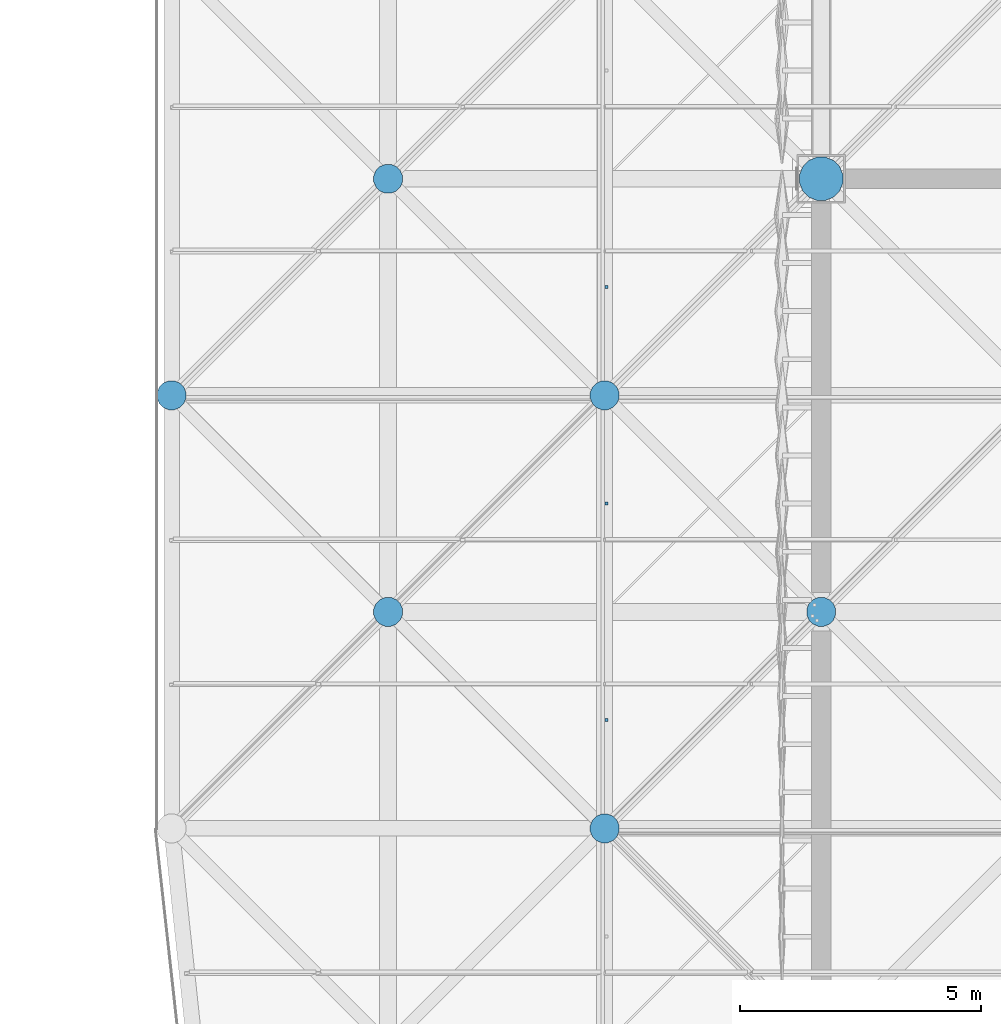
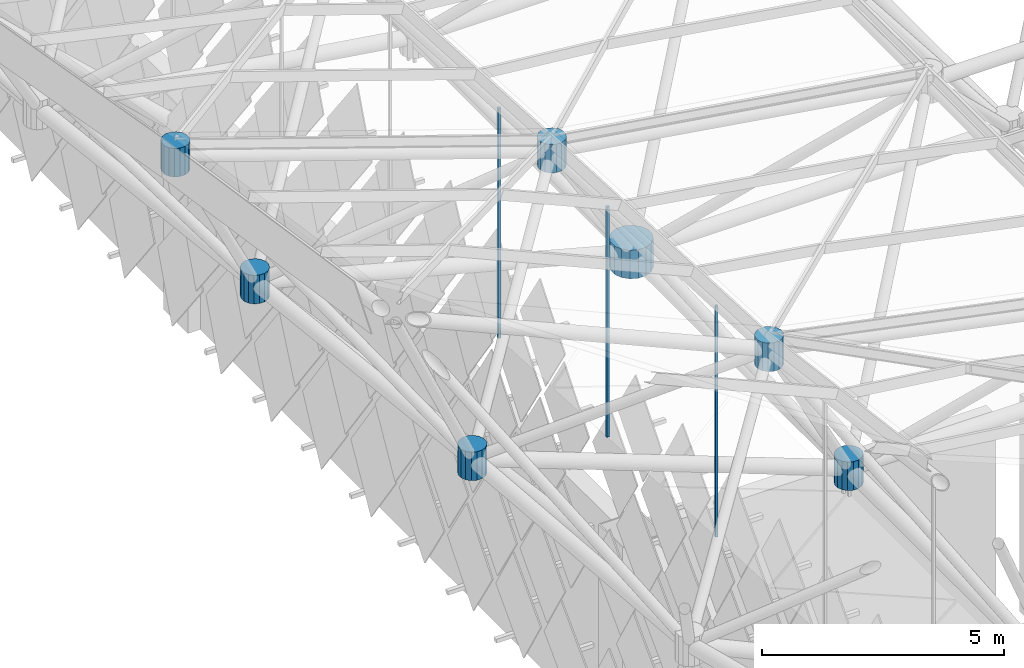
# One storey, part 287 of 437: 10 discrete accessories.
"""IFC4 building model written with IfcOpenShell, lengths in metres."""

from ifc_helpers import new_model, si_unit, direction, frame, origin, place, context, subcontext, project, spatial, polyline, outline, extrude, material, type_object, element, save


model = new_model("IFC4")

# Units and contexts
model_context = context("Model", 3, precision=1e-05, world=origin(), true_north=direction((0.0, 1.0)))
body_context = subcontext(model_context, "Body", "Model", "MODEL_VIEW")
ifc_project = project(units=[si_unit("LENGTHUNIT", "METRE"), si_unit("AREAUNIT", "SQUARE_METRE"), si_unit("VOLUMEUNIT", "CUBIC_METRE"), si_unit("PLANEANGLEUNIT", "RADIAN"), si_unit("MASSUNIT", "GRAM", prefix="KILO")], contexts=[model_context])

# Site, building, storey
site_placement = place(None, origin())
site = spatial("IfcSite", under=ifc_project, at=site_placement, CompositionType="ELEMENT")
building_placement = place(site_placement, origin())
building = spatial("IfcBuilding", under=site, at=building_placement, Name="Opaline Strait Convention Centre", CompositionType="ELEMENT")
storey_placement = place(building_placement, frame((0.0, 0.0, 11.5)))
storey = spatial("IfcBuildingStorey", under=building, at=storey_placement, Name="L02", CompositionType="ELEMENT", Elevation=11.5)

# Discrete accessories
ifc_material_1 = material(Name="Steel Q355B", Category="steel")
discrete_accessory_type_1 = type_object("IfcDiscreteAccessoryType", Name="Soffit hanger 60x60 steel", PredefinedType="BRACKET", material=ifc_material_1)
discrete_accessory_1_placement = place(storey_placement, frame((0.0, 0.0, 13.696533203125)))
element("IfcDiscreteAccessory", 1, at=discrete_accessory_1_placement, inside=storey, type_object=discrete_accessory_type_1, Name="Soffit hanger", PredefinedType="BRACKET", context=body_context, shape_type="SweptSolid", body=[
    extrude(outline(polyline([(94.5048828125, 60.719970703125), (94.56494140625, 60.719970703125), (94.56494140625, 60.780029296875), (94.5048828125, 60.780029296875), (94.5048828125, 60.719970703125)])), origin(), (0.0, 0.0, 1.0), 5.84130859375),
])
discrete_accessory_2_placement = place(storey_placement, frame((0.0, 0.0, 13.495361328125)))
element("IfcDiscreteAccessory", 2, at=discrete_accessory_2_placement, inside=storey, type_object=discrete_accessory_type_1, Name="Soffit hanger", PredefinedType="BRACKET", context=body_context, shape_type="SweptSolid", body=[
    extrude(outline(polyline([(94.5048828125, 65.219970703125), (94.56494140625, 65.219970703125), (94.56494140625, 65.280029296875), (94.5048828125, 65.280029296875), (94.5048828125, 65.219970703125)])), origin(), (0.0, 0.0, 1.0), 5.82421875),
])
discrete_accessory_3_placement = place(storey_placement, frame((0.0, 0.0, 13.264892578125)))
element("IfcDiscreteAccessory", 3, at=discrete_accessory_3_placement, inside=storey, type_object=discrete_accessory_type_1, Name="Soffit hanger", PredefinedType="BRACKET", context=body_context, shape_type="SweptSolid", body=[
    extrude(outline(polyline([(94.5048828125, 69.719970703125), (94.56494140625, 69.719970703125), (94.56494140625, 69.780029296875), (94.5048828125, 69.780029296875), (94.5048828125, 69.719970703125)])), origin(), (0.0, 0.0, 1.0), 5.817626953125),
])
ifc_material_2 = material(Name="Cast steel ZG300-500H (300 MPa)", Category="steel")
discrete_accessory_type_2 = type_object("IfcDiscreteAccessoryType", Name="Space frame bearing node hub D900", PredefinedType="USERDEFINED", material=ifc_material_2)
discrete_accessory_4_placement = place(storey_placement, frame((0.0, 0.0, 12.139892578125)))
element("IfcDiscreteAccessory", 4, at=discrete_accessory_4_placement, inside=storey, type_object=discrete_accessory_type_2, Name="Bottom node 2/4", ObjectType="NODE HUB", PredefinedType="USERDEFINED", context=body_context, shape_type="SweptSolid", body=[
    extrude(outline(polyline([(99.449951171875, 72.089599609375), (99.381591796875, 72.2548828125), (99.2548828125, 72.381591796875), (99.089599609375, 72.449951171875), (98.910400390625, 72.449951171875), (98.7451171875, 72.381591796875), (98.618408203125, 72.2548828125), (98.550048828125, 72.089599609375), (98.550048828125, 71.910400390625), (98.618408203125, 71.7451171875), (98.7451171875, 71.618408203125), (98.910400390625, 71.550048828125), (99.089599609375, 71.550048828125), (99.2548828125, 71.618408203125), (99.381591796875, 71.7451171875), (99.449951171875, 71.910400390625), (99.449951171875, 72.089599609375)])), origin(), (0.0, 0.0, 1.0), 0.72021484375),
])
discrete_accessory_type_3 = type_object("IfcDiscreteAccessoryType", Name="Space frame node hub D600", PredefinedType="USERDEFINED", material=ifc_material_2)
discrete_accessory_5_placement = place(storey_placement, frame((0.0, 0.0, 22.0634765625)))
element("IfcDiscreteAccessory", 5, at=discrete_accessory_5_placement, inside=storey, type_object=discrete_accessory_type_3, Name="Top node 1/4", ObjectType="NODE HUB", PredefinedType="USERDEFINED", context=body_context, shape_type="SweptSolid", body=[
    extrude(outline(polyline([(85.800048828125, 67.559814453125), (85.75439453125, 67.669921875), (85.669921875, 67.75439453125), (85.559814453125, 67.800048828125), (85.440185546875, 67.800048828125), (85.330078125, 67.75439453125), (85.24560546875, 67.669921875), (85.199951171875, 67.559814453125), (85.199951171875, 67.440185546875), (85.24560546875, 67.330078125), (85.330078125, 67.24560546875), (85.440185546875, 67.199951171875), (85.559814453125, 67.199951171875), (85.669921875, 67.24560546875), (85.75439453125, 67.330078125), (85.800048828125, 67.440185546875), (85.800048828125, 67.559814453125)])), origin(), (0.0, 0.0, 1.0), 0.719970703125),
])
discrete_accessory_6_placement = place(storey_placement, frame((0.0, 0.0, 19.449462890625)))
element("IfcDiscreteAccessory", 6, at=discrete_accessory_6_placement, inside=storey, type_object=discrete_accessory_type_3, Name="Top node 2/3", ObjectType="NODE HUB", PredefinedType="USERDEFINED", context=body_context, shape_type="SweptSolid", body=[
    extrude(outline(polyline([(94.800048828125, 58.559814453125), (94.75439453125, 58.669921875), (94.669921875, 58.75439453125), (94.559814453125, 58.800048828125), (94.440185546875, 58.800048828125), (94.330078125, 58.75439453125), (94.24560546875, 58.669921875), (94.199951171875, 58.559814453125), (94.199951171875, 58.440185546875), (94.24560546875, 58.330078125), (94.330078125, 58.24560546875), (94.440185546875, 58.199951171875), (94.559814453125, 58.199951171875), (94.669921875, 58.24560546875), (94.75439453125, 58.330078125), (94.800048828125, 58.440185546875), (94.800048828125, 58.559814453125)])), origin(), (0.0, 0.0, 1.0), 0.719970703125),
])
discrete_accessory_7_placement = place(storey_placement, frame((0.0, 0.0, 19.012939453125)))
element("IfcDiscreteAccessory", 7, at=discrete_accessory_7_placement, inside=storey, type_object=discrete_accessory_type_3, Name="Top node 2/4", ObjectType="NODE HUB", PredefinedType="USERDEFINED", context=body_context, shape_type="SweptSolid", body=[
    extrude(outline(polyline([(94.800048828125, 67.559814453125), (94.75439453125, 67.669921875), (94.669921875, 67.75439453125), (94.559814453125, 67.800048828125), (94.440185546875, 67.800048828125), (94.330078125, 67.75439453125), (94.24560546875, 67.669921875), (94.199951171875, 67.559814453125), (94.199951171875, 67.440185546875), (94.24560546875, 67.330078125), (94.330078125, 67.24560546875), (94.440185546875, 67.199951171875), (94.559814453125, 67.199951171875), (94.669921875, 67.24560546875), (94.75439453125, 67.330078125), (94.800048828125, 67.440185546875), (94.800048828125, 67.559814453125)])), origin(), (0.0, 0.0, 1.0), 0.719970703125),
])
discrete_accessory_8_placement = place(storey_placement, frame((0.0, 0.0, 15.54150390625)))
element("IfcDiscreteAccessory", 8, at=discrete_accessory_8_placement, inside=storey, type_object=discrete_accessory_type_3, Name="Bottom node 1/3", ObjectType="NODE HUB", PredefinedType="USERDEFINED", context=body_context, shape_type="SweptSolid", body=[
    extrude(outline(polyline([(90.300048828125, 63.059814453125), (90.25439453125, 63.169921875), (90.169921875, 63.25439453125), (90.059814453125, 63.300048828125), (89.940185546875, 63.300048828125), (89.830078125, 63.25439453125), (89.74560546875, 63.169921875), (89.699951171875, 63.059814453125), (89.699951171875, 62.940185546875), (89.74560546875, 62.830078125), (89.830078125, 62.74560546875), (89.940185546875, 62.699951171875), (90.059814453125, 62.699951171875), (90.169921875, 62.74560546875), (90.25439453125, 62.830078125), (90.300048828125, 62.940185546875), (90.300048828125, 63.059814453125)])), origin(), (0.0, 0.0, 1.0), 0.719970703125),
])
discrete_accessory_9_placement = place(storey_placement, frame((0.0, 0.0, 14.55078125)))
element("IfcDiscreteAccessory", 9, at=discrete_accessory_9_placement, inside=storey, type_object=discrete_accessory_type_3, Name="Bottom node 1/4", ObjectType="NODE HUB", PredefinedType="USERDEFINED", context=body_context, shape_type="SweptSolid", body=[
    extrude(outline(polyline([(90.300048828125, 72.059814453125), (90.25439453125, 72.169921875), (90.169921875, 72.25439453125), (90.059814453125, 72.300048828125), (89.940185546875, 72.300048828125), (89.830078125, 72.25439453125), (89.74560546875, 72.169921875), (89.699951171875, 72.059814453125), (89.699951171875, 71.940185546875), (89.74560546875, 71.830078125), (89.830078125, 71.74560546875), (89.940185546875, 71.699951171875), (90.059814453125, 71.699951171875), (90.169921875, 71.74560546875), (90.25439453125, 71.830078125), (90.300048828125, 71.940185546875), (90.300048828125, 72.059814453125)])), origin(), (0.0, 0.0, 1.0), 0.719970703125),
])
discrete_accessory_10_placement = place(storey_placement, frame((0.0, 0.0, 12.139892578125)))
element("IfcDiscreteAccessory", 10, at=discrete_accessory_10_placement, inside=storey, type_object=discrete_accessory_type_3, Name="Bottom node 2/3", ObjectType="NODE HUB", PredefinedType="USERDEFINED", context=body_context, shape_type="SweptSolid", body=[
    extrude(outline(polyline([(99.300048828125, 63.059814453125), (99.25439453125, 63.169921875), (99.169921875, 63.25439453125), (99.059814453125, 63.300048828125), (98.940185546875, 63.300048828125), (98.830078125, 63.25439453125), (98.74560546875, 63.169921875), (98.699951171875, 63.059814453125), (98.699951171875, 62.940185546875), (98.74560546875, 62.830078125), (98.830078125, 62.74560546875), (98.940185546875, 62.699951171875), (99.059814453125, 62.699951171875), (99.169921875, 62.74560546875), (99.25439453125, 62.830078125), (99.300048828125, 62.940185546875), (99.300048828125, 63.059814453125)])), origin(), (0.0, 0.0, 1.0), 0.72021484375),
])

save(model, "model.ifc")
